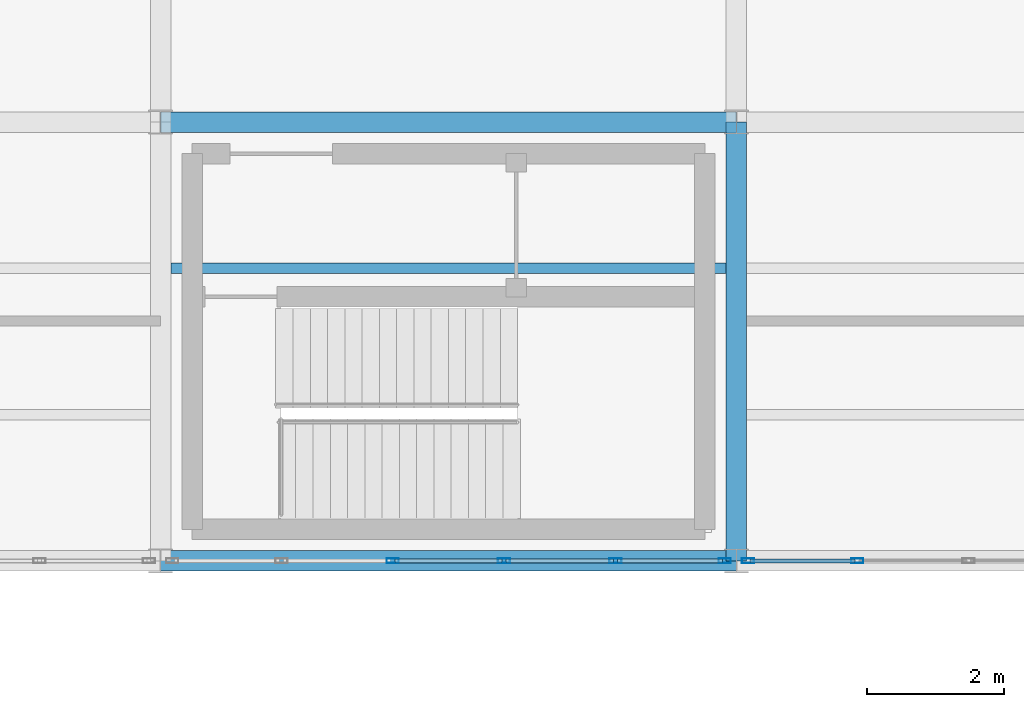
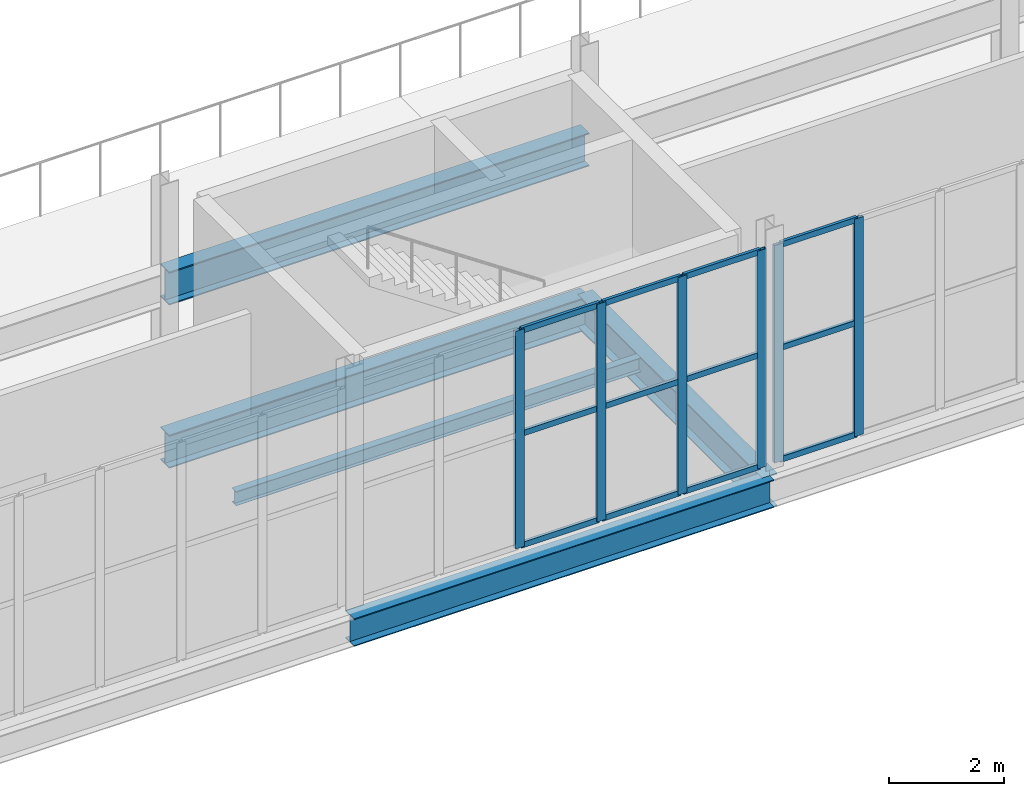
# One storey, part 49 of 218: 18 members, 5 beams, 2 elements without a shape of their own.
"""IFC4 building model written with IfcOpenShell, lengths in metres."""

from ifc_helpers import new_model, si_unit, direction, frame, origin, origin_2d, place, context, subcontext, project, spatial, hollow_rectangle, i_section, extrude, material, material_profile, profile_set, type_object, element, aggregate, save


model = new_model("IFC4")

# Units and contexts
model_context = context("Model", 3, precision=1e-05, world=origin(), true_north=direction((0.0, 1.0)))
body_context = subcontext(model_context, "Body", "Model", "MODEL_VIEW")
ifc_project = project(units=[si_unit("LENGTHUNIT", "METRE"), si_unit("AREAUNIT", "SQUARE_METRE"), si_unit("VOLUMEUNIT", "CUBIC_METRE"), si_unit("PLANEANGLEUNIT", "RADIAN"), si_unit("MASSUNIT", "GRAM", prefix="KILO")], contexts=[model_context])

# Site, building, storey
site_placement = place(None, origin())
site = spatial("IfcSite", under=ifc_project, at=site_placement, CompositionType="ELEMENT")
building_placement = place(site_placement, origin())
building = spatial("IfcBuilding", under=site, at=building_placement, Name="Kazenagashi Tramway Depot", CompositionType="ELEMENT")
storey_placement = place(building_placement, frame((0.0, 0.0, 6.0)))
storey = spatial("IfcBuildingStorey", under=building, at=storey_placement, Name="L02", CompositionType="ELEMENT", Elevation=6.0)

# Beams
ifc_material_1 = material(Name="Steel SN490B", Category="steel")
ifc_material_profile_1 = material_profile(ifc_material_1, i_section(OverallWidth=0.3, OverallDepth=0.7, WebThickness=0.013, FlangeThickness=0.024, at=origin_2d()), Name="H-700x300x13x24")
ifc_profile_set_1 = profile_set([ifc_material_profile_1], Name="Steel SN490B")
beam_type_1 = type_object("IfcBeamType", Name="G-02", PredefinedType="BEAM", material=ifc_profile_set_1)
beam_1_placement = place(storey_placement, frame((53.2, 22.9, -0.6), z_axis=(1.0, 0.0, 0.0), x_axis=(0.0, 1.0, 0.0)))
element("IfcBeam", 1, at=beam_1_placement, inside=storey, type_object=beam_type_1, Name="Beam G-02 BM-1007", PredefinedType="BEAM", context=body_context, shape_type="SweptSolid", body=[
    extrude(i_section(OverallWidth=0.3, OverallDepth=0.7, WebThickness=0.013, FlangeThickness=0.024, at=origin_2d()), origin(), (0.0, 0.0, 1.0), 8.4),
])
beam_2_placement = place(storey_placement, frame((61.6, 16.5, -0.6), z_axis=(0.0, 1.0, 0.0), x_axis=(-1.0, 0.0, 0.0)))
element("IfcBeam", 2, at=beam_2_placement, inside=storey, type_object=beam_type_1, Name="Beam G-02 BM-1041", PredefinedType="BEAM", context=body_context, shape_type="SweptSolid", body=[
    extrude(i_section(OverallWidth=0.3, OverallDepth=0.7, WebThickness=0.013, FlangeThickness=0.024, at=origin_2d()), origin(), (0.0, 0.0, 1.0), 6.4),
])
beam_3_placement = place(storey_placement, frame((53.2, 22.9, 2.85), z_axis=(1.0, 0.0, 0.0), x_axis=(0.0, 1.0, 0.0)))
element("IfcBeam", 3, at=beam_3_placement, inside=storey, type_object=beam_type_1, Name="Beam G-02 BM-1150", PredefinedType="BEAM", context=body_context, shape_type="SweptSolid", body=[
    extrude(i_section(OverallWidth=0.3, OverallDepth=0.7, WebThickness=0.013, FlangeThickness=0.024, at=origin_2d()), origin(), (0.0, 0.0, 1.0), 8.4),
])
ifc_material_2 = material(Name="Steel SN400B", Category="steel")
ifc_material_profile_2 = material_profile(ifc_material_2, i_section(OverallWidth=0.15, OverallDepth=0.3, WebThickness=0.0065, FlangeThickness=0.009, at=origin_2d()), Name="H-300x150x6.5x9")
ifc_profile_set_2 = profile_set([ifc_material_profile_2], Name="Steel SN400B")
beam_type_2 = type_object("IfcBeamType", Name="J-02", PredefinedType="JOIST", material=ifc_profile_set_2)
beam_4_placement = place(storey_placement, frame((53.35, 20.767, -0.4), z_axis=(1.0, 0.0, 0.0), x_axis=(0.0, 1.0, 0.0)))
element("IfcBeam", 4, at=beam_4_placement, inside=storey, type_object=beam_type_2, Name="Beam J-02 BM-1037", PredefinedType="JOIST", context=body_context, shape_type="SweptSolid", body=[
    extrude(i_section(OverallWidth=0.15, OverallDepth=0.3, WebThickness=0.0065, FlangeThickness=0.009, at=origin_2d()), origin(), (0.0, 0.0, 1.0), 8.1),
])

# Curtain wall, members
ifc_material_3 = material(Name="Anodised Aluminium and Low-E Glazing", Category="aluminium")
curtain_wall_type = type_object("IfcCurtainWallType", Name="CW-20", PredefinedType="USERDEFINED", material=ifc_material_3)
curtain_wall_1_placement = place(storey_placement, origin())
curtain_wall_1 = element("IfcCurtainWall", 5, at=curtain_wall_1_placement, inside=storey, type_object=curtain_wall_type, Name="Industrial Glazed Screen CW-20 CW-0096", ObjectType="GLAZED SCREEN", PredefinedType="USERDEFINED")
ifc_material_4 = material(Name="Anodised Aluminium", Category="aluminium")
ifc_material_profile_3 = material_profile(ifc_material_4, hollow_rectangle(XDim=0.07, YDim=0.18, WallThickness=0.005, at=origin_2d()), Name="RHS-180x70x5")
ifc_profile_set_3 = profile_set([ifc_material_profile_3], Name="Anodised Aluminium")
member_type_1 = type_object("IfcMemberType", Name="ML-02", PredefinedType="MULLION", material=ifc_profile_set_3)
member_1_placement = place(storey_placement, frame((56.588, 16.5, 0.0), z_axis=(0.0, 0.0, 1.0), x_axis=(0.0, 1.0, 0.0)))
member_1 = element("IfcMember", 6, at=member_1_placement, type_object=member_type_1, Name="CW-20 mullion 3", PredefinedType="MULLION", context=body_context, shape_type="SweptSolid", body=[
    extrude(hollow_rectangle(XDim=0.07, YDim=0.18, WallThickness=0.005, at=origin_2d()), origin(), (0.0, 0.0, 1.0), 4.6),
])
member_2_placement = place(storey_placement, frame((58.212, 16.5, 0.0), z_axis=(0.0, 0.0, 1.0), x_axis=(0.0, 1.0, 0.0)))
member_2 = element("IfcMember", 7, at=member_2_placement, type_object=member_type_1, Name="CW-20 mullion 4", PredefinedType="MULLION", context=body_context, shape_type="SweptSolid", body=[
    extrude(hollow_rectangle(XDim=0.07, YDim=0.18, WallThickness=0.005, at=origin_2d()), origin(), (0.0, 0.0, 1.0), 4.6),
])
member_3_placement = place(storey_placement, frame((59.836, 16.5, 0.0), z_axis=(0.0, 0.0, 1.0), x_axis=(0.0, 1.0, 0.0)))
member_3 = element("IfcMember", 8, at=member_3_placement, type_object=member_type_1, Name="CW-20 mullion 5", PredefinedType="MULLION", context=body_context, shape_type="SweptSolid", body=[
    extrude(hollow_rectangle(XDim=0.07, YDim=0.18, WallThickness=0.005, at=origin_2d()), origin(), (0.0, 0.0, 1.0), 4.6),
])
member_4_placement = place(storey_placement, frame((61.43, 16.5, 0.0), z_axis=(0.0, 0.0, 1.0), x_axis=(0.0, 1.0, 0.0)))
member_4 = element("IfcMember", 9, at=member_4_placement, type_object=member_type_1, Name="CW-20 mullion 6", PredefinedType="MULLION", context=body_context, shape_type="SweptSolid", body=[
    extrude(hollow_rectangle(XDim=0.07, YDim=0.18, WallThickness=0.005, at=origin_2d()), origin(), (0.0, 0.0, 1.0), 4.6),
])

curtain_wall_2_placement = place(storey_placement, origin())
curtain_wall_2 = element("IfcCurtainWall", 10, at=curtain_wall_2_placement, inside=storey, type_object=curtain_wall_type, Name="Industrial Glazed Screen CW-20 CW-0097", ObjectType="GLAZED SCREEN", PredefinedType="USERDEFINED")
member_5_placement = place(storey_placement, frame((61.77, 16.5, 0.0), z_axis=(0.0, 0.0, 1.0), x_axis=(0.0, 1.0, 0.0)))
member_5 = element("IfcMember", 11, at=member_5_placement, type_object=member_type_1, Name="CW-20 mullion 1", PredefinedType="MULLION", context=body_context, shape_type="SweptSolid", body=[
    extrude(hollow_rectangle(XDim=0.07, YDim=0.18, WallThickness=0.005, at=origin_2d()), origin(), (0.0, 0.0, 1.0), 4.6),
])
member_6_placement = place(storey_placement, frame((63.364, 16.5, 0.0), z_axis=(0.0, 0.0, 1.0), x_axis=(0.0, 1.0, 0.0)))
member_6 = element("IfcMember", 12, at=member_6_placement, type_object=member_type_1, Name="CW-20 mullion 2", PredefinedType="MULLION", context=body_context, shape_type="SweptSolid", body=[
    extrude(hollow_rectangle(XDim=0.07, YDim=0.18, WallThickness=0.005, at=origin_2d()), origin(), (0.0, 0.0, 1.0), 4.6),
])

# Beam
ifc_material_profile_4 = material_profile(ifc_material_1, i_section(OverallWidth=0.3, OverallDepth=0.588, WebThickness=0.012, FlangeThickness=0.02, at=origin_2d()), Name="H-588x300x12x20")
ifc_profile_set_4 = profile_set([ifc_material_profile_4], Name="Steel SN490B")
beam_type_3 = type_object("IfcBeamType", Name="SP-01", PredefinedType="SPANDREL", material=ifc_profile_set_4)
beam_5_placement = place(storey_placement, frame((53.2, 16.5, -0.544), z_axis=(1.0, 0.0, 0.0), x_axis=(0.0, 1.0, 0.0)))
element("IfcBeam", 13, at=beam_5_placement, inside=storey, type_object=beam_type_3, Name="Beam SP-01 BM-0995", PredefinedType="SPANDREL", context=body_context, shape_type="SweptSolid", body=[
    extrude(i_section(OverallWidth=0.3, OverallDepth=0.588, WebThickness=0.012, FlangeThickness=0.02, at=origin_2d()), origin(), (0.0, 0.0, 1.0), 8.4),
])

# Member
ifc_material_profile_5 = material_profile(ifc_material_4, hollow_rectangle(XDim=0.06, YDim=0.12, WallThickness=0.004, at=origin_2d()), Name="RHS-120x60x4")
ifc_profile_set_5 = profile_set([ifc_material_profile_5], Name="Anodised Aluminium")
member_type_2 = type_object("IfcMemberType", Name="TR-01", PredefinedType="USERDEFINED", material=ifc_profile_set_5)
member_7_placement = place(storey_placement, frame((56.618, 16.5, 0.03), z_axis=(1.0, 0.0, 0.0), x_axis=(0.0, 1.0, 0.0)))
member_7 = element("IfcMember", 14, at=member_7_placement, type_object=member_type_2, Name="CW-20 transom 3.1", ObjectType="TRANSOM", PredefinedType="USERDEFINED", context=body_context, shape_type="SweptSolid", body=[
    extrude(hollow_rectangle(XDim=0.06, YDim=0.12, WallThickness=0.004, at=origin_2d()), origin(), (0.0, 0.0, 1.0), 1.564),
])

member_8_placement = place(storey_placement, frame((56.618, 16.5, 2.392), z_axis=(1.0, 0.0, 0.0), x_axis=(0.0, 1.0, 0.0)))
member_8 = element("IfcMember", 15, at=member_8_placement, type_object=member_type_2, Name="CW-20 transom 3.2", ObjectType="TRANSOM", PredefinedType="USERDEFINED", context=body_context, shape_type="SweptSolid", body=[
    extrude(hollow_rectangle(XDim=0.06, YDim=0.12, WallThickness=0.004, at=origin_2d()), origin(), (0.0, 0.0, 1.0), 1.564),
])

member_9_placement = place(storey_placement, frame((56.618, 16.5, 4.57), z_axis=(1.0, 0.0, 0.0), x_axis=(0.0, 1.0, 0.0)))
member_9 = element("IfcMember", 16, at=member_9_placement, type_object=member_type_2, Name="CW-20 transom 3.3", ObjectType="TRANSOM", PredefinedType="USERDEFINED", context=body_context, shape_type="SweptSolid", body=[
    extrude(hollow_rectangle(XDim=0.06, YDim=0.12, WallThickness=0.004, at=origin_2d()), origin(), (0.0, 0.0, 1.0), 1.564),
])

member_10_placement = place(storey_placement, frame((58.242, 16.5, 0.03), z_axis=(1.0, 0.0, 0.0), x_axis=(0.0, 1.0, 0.0)))
member_10 = element("IfcMember", 17, at=member_10_placement, type_object=member_type_2, Name="CW-20 transom 4.1", ObjectType="TRANSOM", PredefinedType="USERDEFINED", context=body_context, shape_type="SweptSolid", body=[
    extrude(hollow_rectangle(XDim=0.06, YDim=0.12, WallThickness=0.004, at=origin_2d()), origin(), (0.0, 0.0, 1.0), 1.564),
])

member_11_placement = place(storey_placement, frame((58.242, 16.5, 2.392), z_axis=(1.0, 0.0, 0.0), x_axis=(0.0, 1.0, 0.0)))
member_11 = element("IfcMember", 18, at=member_11_placement, type_object=member_type_2, Name="CW-20 transom 4.2", ObjectType="TRANSOM", PredefinedType="USERDEFINED", context=body_context, shape_type="SweptSolid", body=[
    extrude(hollow_rectangle(XDim=0.06, YDim=0.12, WallThickness=0.004, at=origin_2d()), origin(), (0.0, 0.0, 1.0), 1.564),
])

member_12_placement = place(storey_placement, frame((58.242, 16.5, 4.57), z_axis=(1.0, 0.0, 0.0), x_axis=(0.0, 1.0, 0.0)))
member_12 = element("IfcMember", 19, at=member_12_placement, type_object=member_type_2, Name="CW-20 transom 4.3", ObjectType="TRANSOM", PredefinedType="USERDEFINED", context=body_context, shape_type="SweptSolid", body=[
    extrude(hollow_rectangle(XDim=0.06, YDim=0.12, WallThickness=0.004, at=origin_2d()), origin(), (0.0, 0.0, 1.0), 1.564),
])

member_13_placement = place(storey_placement, frame((59.866, 16.5, 0.03), z_axis=(1.0, 0.0, 0.0), x_axis=(0.0, 1.0, 0.0)))
member_13 = element("IfcMember", 20, at=member_13_placement, type_object=member_type_2, Name="CW-20 transom 5.1", ObjectType="TRANSOM", PredefinedType="USERDEFINED", context=body_context, shape_type="SweptSolid", body=[
    extrude(hollow_rectangle(XDim=0.06, YDim=0.12, WallThickness=0.004, at=origin_2d()), origin(), (0.0, 0.0, 1.0), 1.534),
])

member_14_placement = place(storey_placement, frame((59.866, 16.5, 2.392), z_axis=(1.0, 0.0, 0.0), x_axis=(0.0, 1.0, 0.0)))
member_14 = element("IfcMember", 21, at=member_14_placement, type_object=member_type_2, Name="CW-20 transom 5.2", ObjectType="TRANSOM", PredefinedType="USERDEFINED", context=body_context, shape_type="SweptSolid", body=[
    extrude(hollow_rectangle(XDim=0.06, YDim=0.12, WallThickness=0.004, at=origin_2d()), origin(), (0.0, 0.0, 1.0), 1.534),
])

member_15_placement = place(storey_placement, frame((59.866, 16.5, 4.57), z_axis=(1.0, 0.0, 0.0), x_axis=(0.0, 1.0, 0.0)))
member_15 = element("IfcMember", 22, at=member_15_placement, type_object=member_type_2, Name="CW-20 transom 5.3", ObjectType="TRANSOM", PredefinedType="USERDEFINED", context=body_context, shape_type="SweptSolid", body=[
    extrude(hollow_rectangle(XDim=0.06, YDim=0.12, WallThickness=0.004, at=origin_2d()), origin(), (0.0, 0.0, 1.0), 1.534),
])

aggregate(curtain_wall_1, [member_1, member_2, member_3, member_4, member_7, member_8, member_9, member_10, member_11, member_12, member_13, member_14, member_15])

member_16_placement = place(storey_placement, frame((61.8, 16.5, 0.03), z_axis=(1.0, 0.0, 0.0), x_axis=(0.0, 1.0, 0.0)))
member_16 = element("IfcMember", 23, at=member_16_placement, type_object=member_type_2, Name="CW-20 transom 1.1", ObjectType="TRANSOM", PredefinedType="USERDEFINED", context=body_context, shape_type="SweptSolid", body=[
    extrude(hollow_rectangle(XDim=0.06, YDim=0.12, WallThickness=0.004, at=origin_2d()), origin(), (0.0, 0.0, 1.0), 1.534),
])

member_17_placement = place(storey_placement, frame((61.8, 16.5, 2.392), z_axis=(1.0, 0.0, 0.0), x_axis=(0.0, 1.0, 0.0)))
member_17 = element("IfcMember", 24, at=member_17_placement, type_object=member_type_2, Name="CW-20 transom 1.2", ObjectType="TRANSOM", PredefinedType="USERDEFINED", context=body_context, shape_type="SweptSolid", body=[
    extrude(hollow_rectangle(XDim=0.06, YDim=0.12, WallThickness=0.004, at=origin_2d()), origin(), (0.0, 0.0, 1.0), 1.534),
])

member_18_placement = place(storey_placement, frame((61.8, 16.5, 4.57), z_axis=(1.0, 0.0, 0.0), x_axis=(0.0, 1.0, 0.0)))
member_18 = element("IfcMember", 25, at=member_18_placement, type_object=member_type_2, Name="CW-20 transom 1.3", ObjectType="TRANSOM", PredefinedType="USERDEFINED", context=body_context, shape_type="SweptSolid", body=[
    extrude(hollow_rectangle(XDim=0.06, YDim=0.12, WallThickness=0.004, at=origin_2d()), origin(), (0.0, 0.0, 1.0), 1.534),
])

aggregate(curtain_wall_2, [member_5, member_6, member_16, member_17, member_18])

save(model, "model.ifc")
